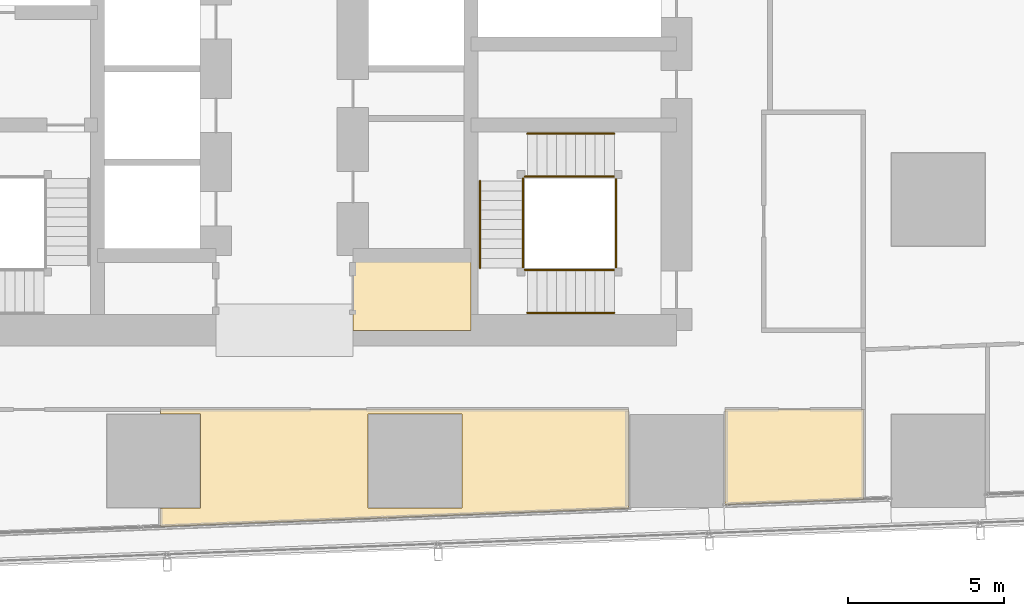
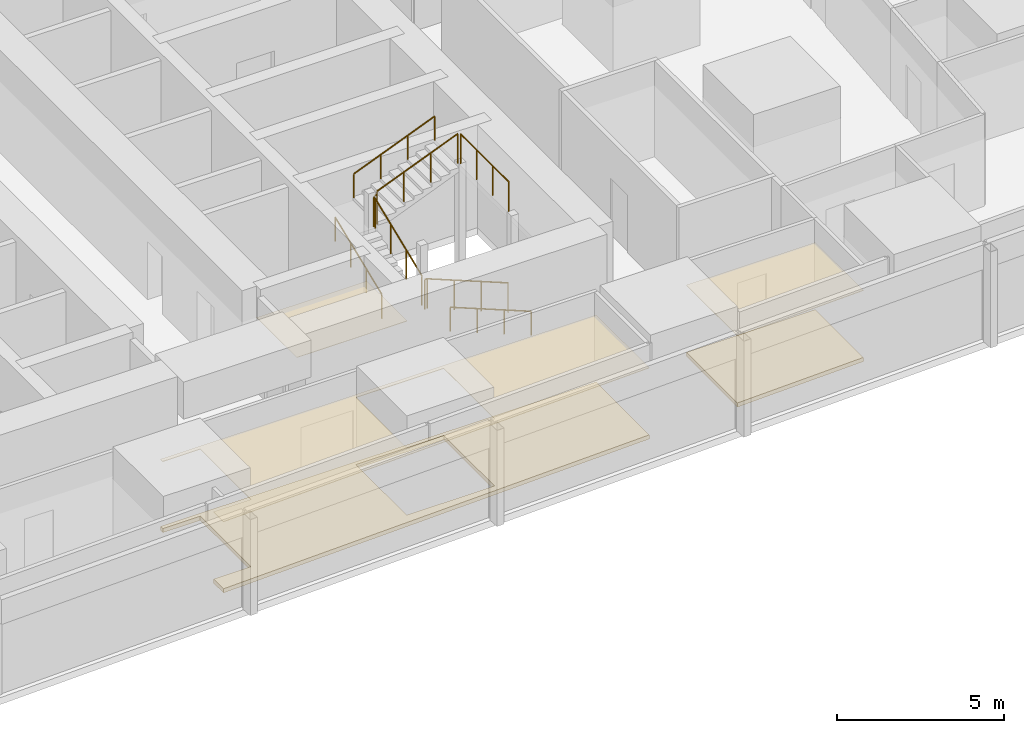
# One storey, part 36 of 39: 10 railings, 5 coverings.
"""IFC4 building model written with IfcOpenShell, lengths in metres."""

from ifc_helpers import new_model, si_unit, direction, frame, origin, origin_2d, place, context, subcontext, project, spatial, polyline, circle, outline, extrude, material, layer, layer_set, type_object, element, save


model = new_model("IFC4")

# Units and contexts
model_context = context("Model", 3, precision=1e-05, world=origin(), true_north=direction((0.0, 1.0)))
body_context = subcontext(model_context, "Body", "Model", "MODEL_VIEW")
ifc_project = project(units=[si_unit("LENGTHUNIT", "METRE"), si_unit("AREAUNIT", "SQUARE_METRE"), si_unit("VOLUMEUNIT", "CUBIC_METRE"), si_unit("PLANEANGLEUNIT", "RADIAN"), si_unit("MASSUNIT", "GRAM", prefix="KILO")], contexts=[model_context])

# Site, building, storey
site_placement = place(None, origin())
site = spatial("IfcSite", under=ifc_project, at=site_placement, CompositionType="ELEMENT")
building_placement = place(site_placement, origin())
building = spatial("IfcBuilding", under=site, at=building_placement, Name="Rekha Terrace Tower", CompositionType="ELEMENT")
storey_placement = place(building_placement, frame((0.0, 0.0, 155.300048828125)))
storey = spatial("IfcBuildingStorey", under=building, at=storey_placement, Name="L39", CompositionType="ELEMENT", Elevation=155.300048828125)

# Coverings
ifc_material_1 = material(Name="Mineral fibre tile in exposed grid", Category="finish")
ifc_layer_1 = layer(ifc_material_1, 0.02001953125)
ifc_layer_set_1 = layer_set([ifc_layer_1], Name="Mineral fibre tile in exposed grid")
covering_type_1 = type_object("IfcCoveringType", Name="CL1 600x1200 office grid ceiling", PredefinedType="CEILING", material=ifc_layer_set_1)
covering_1_placement = place(storey_placement, frame((0.0, 0.0, 2.579833984375)))
element("IfcCovering", 1, at=covering_1_placement, inside=storey, type_object=covering_type_1, Name="Ceiling L39-03", PredefinedType="CEILING", context=body_context, shape_type="SweptSolid", body=[
    extrude(outline(polyline([(51.95703125, 18.449951171875), (51.95703125, 15.39794921875), (56.40087890625, 15.571044921875), (56.39990234375, 18.449951171875), (51.95703125, 18.449951171875)])), origin(), (0.0, 0.0, 1.0), 0.02001953125),
])
covering_2_placement = place(storey_placement, frame((0.0, 0.0, 2.579833984375)))
element("IfcCovering", 2, at=covering_2_placement, inside=storey, type_object=covering_type_1, Name="Ceiling L39-12", PredefinedType="CEILING", context=body_context, shape_type="SweptSolid", body=[
    extrude(outline(polyline([(33.825927734375, 14.69189453125), (40.35400390625, 14.946044921875), (48.847900390625, 15.277099609375), (48.847900390625, 18.449951171875), (33.825927734375, 18.449951171875), (33.825927734375, 18.31494140625), (35.114990234375, 18.31494140625), (35.114990234375, 15.284912109375), (33.825927734375, 15.284912109375), (33.825927734375, 14.69189453125)]), holes=[polyline([(43.514892578125, 18.31494140625), (43.514892578125, 15.284912109375), (40.485107421875, 15.284912109375), (40.485107421875, 18.31494140625), (43.514892578125, 18.31494140625)])]), origin(), (0.0, 0.0, 1.0), 0.02001953125),
])
ifc_material_2 = material(Name="Fibre cement board", Category="finish")
ifc_layer_2 = layer(ifc_material_2, 0.014892578125)
ifc_layer_set_2 = layer_set([ifc_layer_2], Name="Fibre cement board")
covering_type_2 = type_object("IfcCoveringType", Name="CL2 moisture-resistant board ceiling", PredefinedType="CEILING", material=ifc_layer_set_2)
covering_3_placement = place(storey_placement, frame((0.0, 0.0, 2.5849609375)))
element("IfcCovering", 3, at=covering_3_placement, inside=storey, type_object=covering_type_2, Name="Ceiling L39-WCA", PredefinedType="CEILING", context=body_context, shape_type="SweptSolid", body=[
    extrude(outline(polyline([(43.800048828125, 23.39990234375), (40.0, 23.39990234375), (40.0, 21.0), (43.800048828125, 21.0), (43.800048828125, 23.39990234375)])), origin(), (0.0, 0.0, 1.0), 0.014892578125),
])

# Railings
ifc_material_3 = material(Name="Stainless steel balustrade", Category="steel")
railing_type_1 = type_object("IfcRailingType", Name="GR1 1100 stair guard", PredefinedType="GUARDRAIL", material=ifc_material_3)
railing_1_placement = place(storey_placement, frame((48.39990234375, 22.93994140625, 0.125)))
element("IfcRailing", 4, at=railing_1_placement, inside=storey, type_object=railing_type_1, Name="Guard ST3 L39 flight 1", PredefinedType="GUARDRAIL", context=body_context, shape_type="SweptSolid", body=[
    extrude(circle(Radius=0.02392578125, at=origin_2d()), frame((0.0, 0.0, 1.076171875), z_axis=(-0.927431937212, 0.0, 0.373991980981), x_axis=(0.0, -1.0, 0.0)), (0.0, 0.0, 1.0), 3.008056640625),
    extrude(circle(Radius=0.02099609375, at=origin_2d()), origin(), (0.0, 0.0, 1.0), 1.052001953125),
    extrude(circle(Radius=0.02099609375, at=origin_2d()), frame((-0.929931640625, 0.0, 0.375)), (0.0, 0.0, 1.0), 1.052001953125),
    extrude(circle(Radius=0.02099609375, at=origin_2d()), frame((-1.85986328125, 0.0, 0.75)), (0.0, 0.0, 1.0), 1.052001953125),
    extrude(circle(Radius=0.02099609375, at=origin_2d()), frame((-2.789794921875, 0.0, 1.125)), (0.0, 0.0, 1.0), 1.052001953125),
])
railing_2_placement = place(storey_placement, frame((45.465087890625, 23.0, 1.375)))
element("IfcRailing", 5, at=railing_2_placement, inside=storey, type_object=railing_type_1, Name="Guard ST3 L39 flight 2", PredefinedType="GUARDRAIL", context=body_context, shape_type="SweptSolid", body=[
    extrude(circle(Radius=0.02392578125, at=origin_2d()), frame((0.0, 0.0, 1.076171875), z_axis=(0.0, 0.927443287984, 0.373963831907), x_axis=(-1.0, 0.0, 0.0)), (0.0, 0.0, 1.0), 3.00830078125),
    extrude(circle(Radius=0.02099609375, at=origin_2d()), origin(), (0.0, 0.0, 1.0), 1.052001953125),
    extrude(circle(Radius=0.02099609375, at=origin_2d()), frame((0.0, 0.929931640625, 0.375)), (0.0, 0.0, 1.0), 1.052001953125),
    extrude(circle(Radius=0.02099609375, at=origin_2d()), frame((0.0, 1.860107421875, 0.75)), (0.0, 0.0, 1.0), 1.052001953125),
    extrude(circle(Radius=0.02099609375, at=origin_2d()), frame((0.0, 2.7900390625, 1.125)), (0.0, 0.0, 1.0), 1.052001953125),
])
railing_3_placement = place(storey_placement, frame((45.610107421875, 25.93505859375, 2.625)))
element("IfcRailing", 6, at=railing_3_placement, inside=storey, type_object=railing_type_1, Name="Guard ST3 L39 flight 3", PredefinedType="GUARDRAIL", context=body_context, shape_type="SweptSolid", body=[
    extrude(circle(Radius=0.02392578125, at=origin_2d()), frame((0.0, 0.0, 1.076171875), z_axis=(0.927431937212, 0.0, 0.373991980981), x_axis=(0.0, 1.0, 0.0)), (0.0, 0.0, 1.0), 3.008056640625),
    extrude(circle(Radius=0.02099609375, at=origin_2d()), origin(), (0.0, 0.0, 1.0), 1.052001953125),
    extrude(circle(Radius=0.02099609375, at=origin_2d()), frame((0.929931640625, 0.0, 0.375)), (0.0, 0.0, 1.0), 1.052001953125),
    extrude(circle(Radius=0.02099609375, at=origin_2d()), frame((1.85986328125, 0.0, 0.75)), (0.0, 0.0, 1.0), 1.052001953125),
    extrude(circle(Radius=0.02099609375, at=origin_2d()), frame((2.789794921875, 0.0, 1.125)), (0.0, 0.0, 1.0), 1.052001953125),
])
railing_4_placement = place(storey_placement, frame((45.610107421875, 22.93994140625, 1.25)))
element("IfcRailing", 7, at=railing_4_placement, inside=storey, type_object=railing_type_1, Name="Guard ST3 L39 landing 1", PredefinedType="GUARDRAIL", context=body_context, shape_type="SweptSolid", body=[
    extrude(circle(Radius=0.02392578125, at=origin_2d()), frame((0.0, 0.0, 1.076171875), z_axis=(-1.0, 0.0, 0.0), x_axis=(0.0, -1.0, 0.0)), (0.0, 0.0, 1.0), 0.085205078125),
    extrude(circle(Radius=0.02099609375, at=origin_2d()), origin(), (0.0, 0.0, 1.0), 1.052001953125),
    extrude(circle(Radius=0.02099609375, at=origin_2d()), frame((-0.085205078125, 0.0, 0.0)), (0.0, 0.0, 1.0), 1.052001953125),
])
railing_5_placement = place(storey_placement, frame((45.465087890625, 25.7900390625, 2.5)))
element("IfcRailing", 8, at=railing_5_placement, inside=storey, type_object=railing_type_1, Name="Guard ST3 L39 landing 2", PredefinedType="GUARDRAIL", context=body_context, shape_type="SweptSolid", body=[
    extrude(circle(Radius=0.02392578125, at=origin_2d()), frame((0.0, 0.0, 1.076171875), z_axis=(0.0, 1.0, 0.0), x_axis=(-1.0, 0.0, 0.0)), (0.0, 0.0, 1.0), 0.0849609375),
    extrude(circle(Radius=0.02099609375, at=origin_2d()), origin(), (0.0, 0.0, 1.0), 1.052001953125),
    extrude(circle(Radius=0.02099609375, at=origin_2d()), frame((0.0, 0.0849609375, 0.0)), (0.0, 0.0, 1.0), 1.052001953125),
])
railing_6_placement = place(storey_placement, frame((45.610107421875, 25.93505859375, 2.5)))
element("IfcRailing", 9, at=railing_6_placement, inside=storey, type_object=railing_type_1, Name="Guard ST3 L39 landing 3", PredefinedType="GUARDRAIL", context=body_context, shape_type="SweptSolid", body=[
    extrude(circle(Radius=0.02392578125, at=origin_2d()), frame((0.0, 0.0, 1.076171875), z_axis=(-1.0, 0.0, 0.0), x_axis=(0.0, -1.0, 0.0)), (0.0, 0.0, 1.0), 0.085205078125),
    extrude(circle(Radius=0.02099609375, at=origin_2d()), origin(), (0.0, 0.0, 1.0), 1.052001953125),
    extrude(circle(Radius=0.02099609375, at=origin_2d()), frame((-0.085205078125, 0.0, 0.0)), (0.0, 0.0, 1.0), 1.052001953125),
])
railing_7_placement = place(storey_placement, frame((48.4599609375, 23.0, 3.75)))
element("IfcRailing", 10, at=railing_7_placement, inside=storey, type_object=railing_type_1, Name="Guard ST3 L39 landing 4", PredefinedType="GUARDRAIL", context=body_context, shape_type="SweptSolid", body=[
    extrude(circle(Radius=0.02392578125, at=origin_2d()), frame((0.0, 0.0, 1.076171875), z_axis=(0.0, 1.0, 0.0), x_axis=(-1.0, 0.0, 0.0)), (0.0, 0.0, 1.0), 2.875),
    extrude(circle(Radius=0.02099609375, at=origin_2d()), origin(), (0.0, 0.0, 1.0), 1.052001953125),
    extrude(circle(Radius=0.02099609375, at=origin_2d()), frame((0.0, 0.958251953125, 0.0)), (0.0, 0.0, 1.0), 1.052001953125),
    extrude(circle(Radius=0.02099609375, at=origin_2d()), frame((0.0, 1.916748046875, 0.0)), (0.0, 0.0, 1.0), 1.052001953125),
    extrude(circle(Radius=0.02099609375, at=origin_2d()), frame((0.0, 2.875, 0.0)), (0.0, 0.0, 1.0), 1.052001953125),
])
ifc_material_4 = material(Name="Stainless steel tube", Category="steel")
railing_type_2 = type_object("IfcRailingType", Name="HR1 900 stair handrail", PredefinedType="HANDRAIL", material=ifc_material_4)
railing_8_placement = place(storey_placement, frame((48.39990234375, 21.56005859375, 0.125)))
element("IfcRailing", 11, at=railing_8_placement, inside=storey, type_object=railing_type_2, Name="Handrail ST3 L39 flight 1", PredefinedType="HANDRAIL", context=body_context, shape_type="SweptSolid", body=[
    extrude(circle(Radius=0.02392578125, at=origin_2d()), frame((0.0, 0.0, 0.8759765625), z_axis=(-0.927431937212, 0.0, 0.373991980981), x_axis=(0.0, -1.0, 0.0)), (0.0, 0.0, 1.0), 3.008056640625),
    extrude(circle(Radius=0.02099609375, at=origin_2d()), origin(), (0.0, 0.0, 1.0), 0.851806640625),
    extrude(circle(Radius=0.02099609375, at=origin_2d()), frame((-0.929931640625, 0.0, 0.375)), (0.0, 0.0, 1.0), 0.851806640625),
    extrude(circle(Radius=0.02099609375, at=origin_2d()), frame((-1.85986328125, 0.0, 0.75)), (0.0, 0.0, 1.0), 0.851806640625),
    extrude(circle(Radius=0.02099609375, at=origin_2d()), frame((-2.789794921875, 0.0, 1.125)), (0.0, 0.0, 1.0), 0.851806640625),
])
railing_9_placement = place(storey_placement, frame((44.0849609375, 23.0, 1.375)))
element("IfcRailing", 12, at=railing_9_placement, inside=storey, type_object=railing_type_2, Name="Handrail ST3 L39 flight 2", PredefinedType="HANDRAIL", context=body_context, shape_type="SweptSolid", body=[
    extrude(circle(Radius=0.02392578125, at=origin_2d()), frame((0.0, 0.0, 0.8759765625), z_axis=(0.0, 0.927443287984, 0.373963831907), x_axis=(-1.0, 0.0, 0.0)), (0.0, 0.0, 1.0), 3.00830078125),
    extrude(circle(Radius=0.02099609375, at=origin_2d()), origin(), (0.0, 0.0, 1.0), 0.851806640625),
    extrude(circle(Radius=0.02099609375, at=origin_2d()), frame((0.0, 0.929931640625, 0.375)), (0.0, 0.0, 1.0), 0.851806640625),
    extrude(circle(Radius=0.02099609375, at=origin_2d()), frame((0.0, 1.860107421875, 0.75)), (0.0, 0.0, 1.0), 0.851806640625),
    extrude(circle(Radius=0.02099609375, at=origin_2d()), frame((0.0, 2.7900390625, 1.125)), (0.0, 0.0, 1.0), 0.851806640625),
])
railing_10_placement = place(storey_placement, frame((45.610107421875, 27.31494140625, 2.625)))
element("IfcRailing", 13, at=railing_10_placement, inside=storey, type_object=railing_type_2, Name="Handrail ST3 L39 flight 3", PredefinedType="HANDRAIL", context=body_context, shape_type="SweptSolid", body=[
    extrude(circle(Radius=0.02392578125, at=origin_2d()), frame((0.0, 0.0, 0.8759765625), z_axis=(0.927431937212, 0.0, 0.373991980981), x_axis=(0.0, 1.0, 0.0)), (0.0, 0.0, 1.0), 3.008056640625),
    extrude(circle(Radius=0.02099609375, at=origin_2d()), origin(), (0.0, 0.0, 1.0), 0.851806640625),
    extrude(circle(Radius=0.02099609375, at=origin_2d()), frame((0.929931640625, 0.0, 0.375)), (0.0, 0.0, 1.0), 0.851806640625),
    extrude(circle(Radius=0.02099609375, at=origin_2d()), frame((1.85986328125, 0.0, 0.75)), (0.0, 0.0, 1.0), 0.851806640625),
    extrude(circle(Radius=0.02099609375, at=origin_2d()), frame((2.789794921875, 0.0, 1.125)), (0.0, 0.0, 1.0), 0.851806640625),
])

# Coverings
ifc_material_5 = material(Name="Calcium sulphate panels on steel pedestals", Category="steel")
ifc_layer_3 = layer(ifc_material_5, 0.14990234375)
ifc_layer_set_3 = layer_set([ifc_layer_3], Name="Calcium sulphate panels on steel pedestals")
covering_type_3 = type_object("IfcCoveringType", Name="RF1 150 raised access floor", PredefinedType="FLOORING", material=ifc_layer_set_3)
covering_4_placement = place(storey_placement, origin())
element("IfcCovering", 14, at=covering_4_placement, inside=storey, type_object=covering_type_3, Name="Raised floor L39-03", PredefinedType="FLOORING", context=body_context, shape_type="SweptSolid", body=[
    extrude(outline(polyline([(51.95703125, 18.449951171875), (51.95703125, 15.39794921875), (56.40087890625, 15.571044921875), (56.39990234375, 18.449951171875), (51.95703125, 18.449951171875)])), origin(), (0.0, 0.0, 1.0), 0.14990234375),
])
covering_5_placement = place(storey_placement, origin())
element("IfcCovering", 15, at=covering_5_placement, inside=storey, type_object=covering_type_3, Name="Raised floor L39-12", PredefinedType="FLOORING", context=body_context, shape_type="SweptSolid", body=[
    extrude(outline(polyline([(33.825927734375, 14.69189453125), (40.35400390625, 14.946044921875), (48.847900390625, 15.277099609375), (48.847900390625, 18.449951171875), (33.825927734375, 18.449951171875), (33.825927734375, 18.31494140625), (35.114990234375, 18.31494140625), (35.114990234375, 15.284912109375), (33.825927734375, 15.284912109375), (33.825927734375, 14.69189453125)]), holes=[polyline([(43.514892578125, 18.31494140625), (43.514892578125, 15.284912109375), (40.485107421875, 15.284912109375), (40.485107421875, 18.31494140625), (43.514892578125, 18.31494140625)])]), origin(), (0.0, 0.0, 1.0), 0.14990234375),
])

save(model, "model.ifc")
